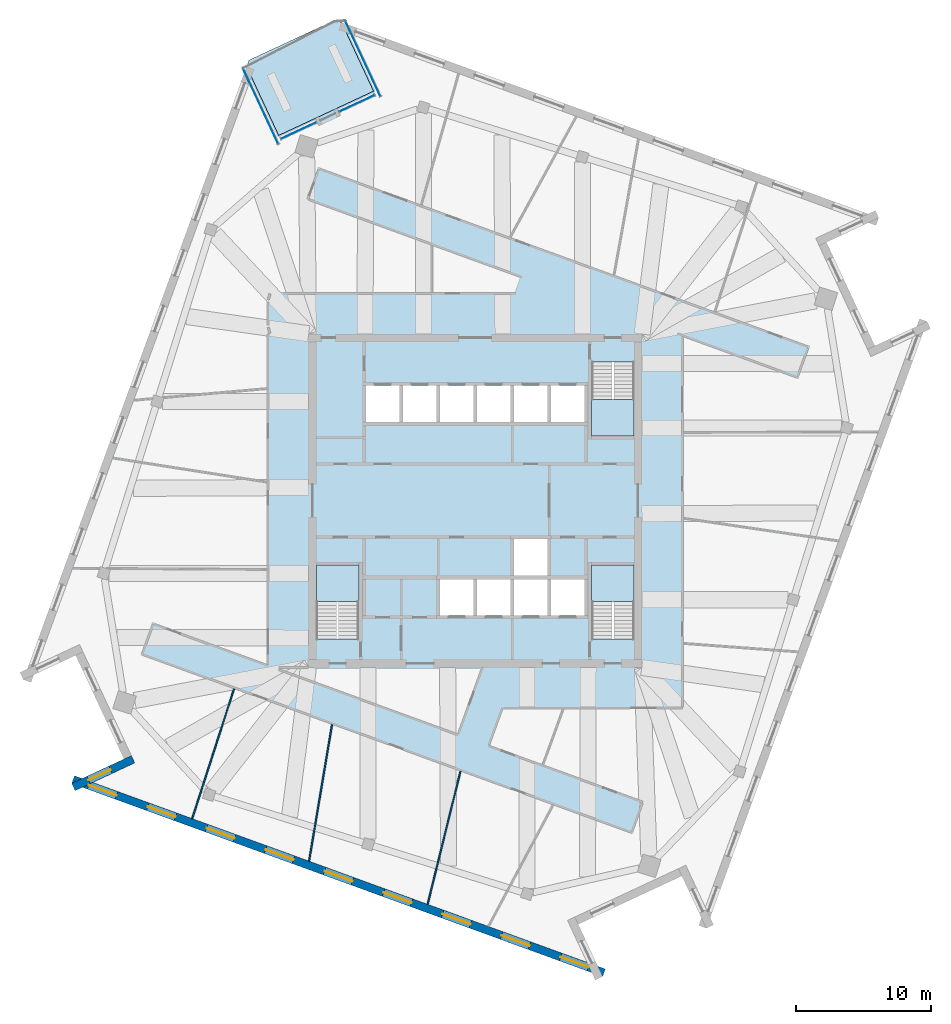
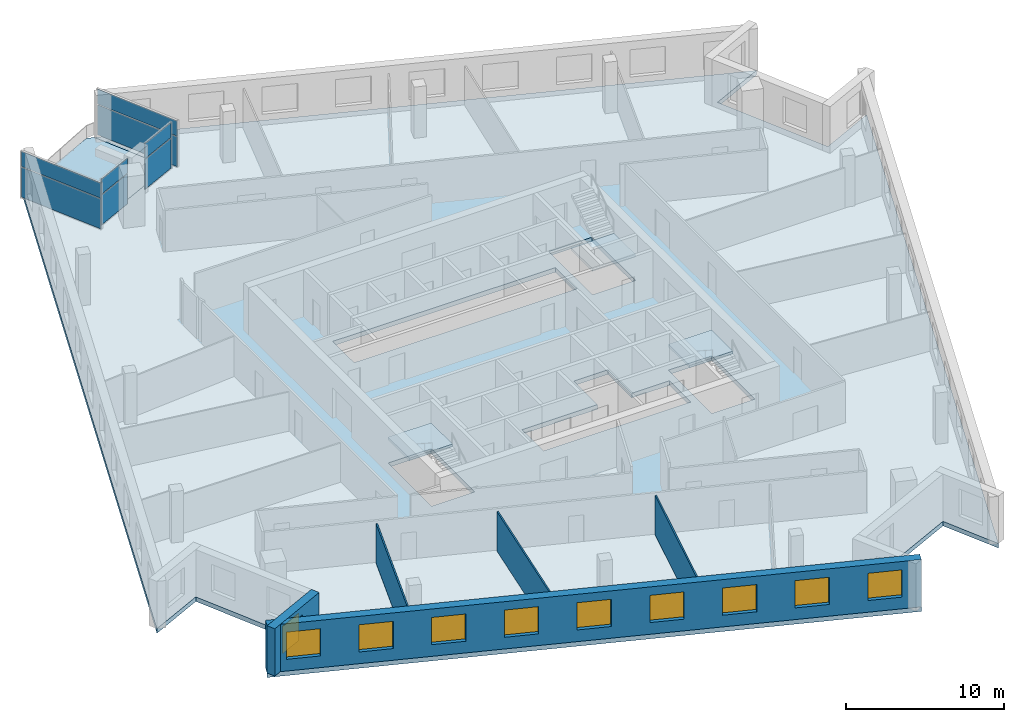
# One storey, part 5 of 13: 10 windows, 8 plates, 5 slabs, 5 walls, 10 openings, 7 elements without a shape of their own.
"""IFC4 building model written with IfcOpenShell, lengths in metres."""

from ifc_helpers import new_model, si_unit, direction, frame, frame_2d, origin, origin_2d, place, context, subcontext, project, spatial, polyline, rectangle, outline, extrude, material, layer, layer_set, type_object, element, fill, aggregate, save


model = new_model("IFC4")

# Units and contexts
model_context = context("Model", 3, precision=1e-05, world=origin(), true_north=direction((0.0, 1.0)))
body_context = subcontext(model_context, "Body", "Model", "MODEL_VIEW")
ifc_project = project(units=[si_unit("LENGTHUNIT", "METRE"), si_unit("AREAUNIT", "SQUARE_METRE"), si_unit("VOLUMEUNIT", "CUBIC_METRE"), si_unit("PLANEANGLEUNIT", "RADIAN"), si_unit("MASSUNIT", "GRAM", prefix="KILO")], contexts=[model_context])

# Site, building, storey
site_placement = place(None, origin())
site = spatial("IfcSite", under=ifc_project, at=site_placement, CompositionType="ELEMENT")
building_placement = place(site_placement, origin())
building = spatial("IfcBuilding", under=site, at=building_placement, Name="Dilmun Exchange Tower", CompositionType="ELEMENT")
storey_placement = place(building_placement, frame((0.0, 0.0, 308.5)))
storey = spatial("IfcBuildingStorey", under=building, at=storey_placement, Name="L73", CompositionType="ELEMENT", Elevation=308.5)

# Stair, slab
ifc_material_1 = material(Name="Concrete C40/50", Category="concrete")
stair_type = type_object("IfcStairType", Name="Exit stair 1500 half-turn", PredefinedType="HALF_TURN_STAIR", material=ifc_material_1)
stair_1_placement = place(storey_placement, origin())
stair_1 = element("IfcStair", 1, at=stair_1_placement, inside=storey, type_object=stair_type, Name="L73 Protected exit stair ST1", PredefinedType="HALF_TURN_STAIR")
ifc_layer_1 = layer(ifc_material_1, 0.199951171875)
ifc_layer_set_1 = layer_set([ifc_layer_1], Name="Concrete C40/50")
slab_type_1 = type_object("IfcSlabType", Name="Exit stair landing 200", PredefinedType="LANDING", material=ifc_layer_set_1)
slab_1_placement = place(storey_placement, frame((0.0, 0.0, 1.800048828125)))
slab_1 = element("IfcSlab", 2, at=slab_1_placement, type_object=slab_type_1, Name="ST1 landing 1", PredefinedType="LANDING", context=body_context, shape_type="SweptSolid", body=[
    extrude(outline(polyline([(8.64990234375, 7.5), (8.64990234375, 4.800048828125), (11.800048828125, 4.800048828125), (11.800048828125, 7.5), (8.64990234375, 7.5)])), origin(), (0.0, 0.0, 1.0), 0.199951171875),
])
aggregate(stair_1, [slab_1])

stair_2_placement = place(storey_placement, origin())
stair_2 = element("IfcStair", 3, at=stair_2_placement, inside=storey, type_object=stair_type, Name="L73 Protected exit stair ST2", PredefinedType="HALF_TURN_STAIR")
slab_2_placement = place(storey_placement, frame((0.0, 0.0, 1.800048828125)))
slab_2 = element("IfcSlab", 4, at=slab_2_placement, type_object=slab_type_1, Name="ST2 landing 1", PredefinedType="LANDING", context=body_context, shape_type="SweptSolid", body=[
    extrude(outline(polyline([(-8.64990234375, -7.5), (-8.64990234375, -4.800048828125), (-11.800048828125, -4.800048828125), (-11.800048828125, -7.5), (-8.64990234375, -7.5)])), origin(), (0.0, 0.0, 1.0), 0.199951171875),
])
aggregate(stair_2, [slab_2])

stair_3_placement = place(storey_placement, origin())
stair_3 = element("IfcStair", 5, at=stair_3_placement, inside=storey, type_object=stair_type, Name="L73 Protected exit stair ST3", PredefinedType="HALF_TURN_STAIR")
slab_3_placement = place(storey_placement, frame((0.0, 0.0, 1.800048828125)))
slab_3 = element("IfcSlab", 6, at=slab_3_placement, type_object=slab_type_1, Name="ST3 landing 1", PredefinedType="LANDING", context=body_context, shape_type="SweptSolid", body=[
    extrude(outline(polyline([(11.800048828125, -7.5), (11.800048828125, -4.800048828125), (8.64990234375, -4.800048828125), (8.64990234375, -7.5), (11.800048828125, -7.5)])), origin(), (0.0, 0.0, 1.0), 0.199951171875),
])
aggregate(stair_3, [slab_3])

# Curtain wall, plates
ifc_material_2 = material(Name="Anodised aluminium and clear glass", Category="aluminium")
curtain_wall_type = type_object("IfcCurtainWallType", Name="Garden corner glazing", PredefinedType="NOTDEFINED", material=ifc_material_2)
curtain_wall_1_placement = place(storey_placement, origin())
curtain_wall_1 = element("IfcCurtainWall", 7, at=curtain_wall_1_placement, inside=storey, type_object=curtain_wall_type, Name="Garden corner glazing run GC1.1", PredefinedType="NOTDEFINED")
ifc_material_3 = material(Name="Clear glass", Category="glass")
ifc_layer_2 = layer(ifc_material_3, 0.028076171875)
ifc_layer_set_2 = layer_set([ifc_layer_2], Name="Clear glass")
plate_type = type_object("IfcPlateType", Name="Garden corner glazing glass panel 28", PredefinedType="CURTAIN_PANEL", material=ifc_layer_set_2)
plate_1_placement = place(storey_placement, frame((-8.350830078125, 32.84033203125, 0.06005859375), z_axis=(0.0, 0.0, 1.0), x_axis=(0.4226234014, -0.906305390357, 0.0)))
plate_1 = element("IfcPlate", 8, at=plate_1_placement, type_object=plate_type, Name="GC1.1 panel 1.1", PredefinedType="CURTAIN_PANEL", context=body_context, shape_type="SweptSolid", body=[
    extrude(rectangle(XDim=6.12646484375, YDim=0.028076171875, at=origin_2d()), origin(), (0.0, 0.0, 1.0), 2.31005859375),
])
plate_2_placement = place(storey_placement, frame((-8.350830078125, 32.84033203125, 2.43017578125), z_axis=(0.0, 0.0, 1.0), x_axis=(0.4226234014, -0.906305390357, 0.0)))
plate_2 = element("IfcPlate", 9, at=plate_2_placement, type_object=plate_type, Name="GC1.1 panel 1.2", PredefinedType="CURTAIN_PANEL", context=body_context, shape_type="SweptSolid", body=[
    extrude(rectangle(XDim=6.12646484375, YDim=0.028076171875, at=origin_2d()), origin(), (0.0, 0.0, 1.0), 1.159912109375),
])
aggregate(curtain_wall_1, [plate_1, plate_2])

curtain_wall_2_placement = place(storey_placement, origin())
curtain_wall_2 = element("IfcCurtainWall", 10, at=curtain_wall_2_placement, inside=storey, type_object=curtain_wall_type, Name="Garden corner glazing run GC2.1", PredefinedType="NOTDEFINED")
plate_3_placement = place(storey_placement, frame((-8.7841796875, 29.523193359375, 0.06005859375), z_axis=(0.0, 0.0, 1.0), x_axis=(-0.906311303987, -0.422610719535, 0.0)))
plate_3 = element("IfcPlate", 11, at=plate_3_placement, type_object=plate_type, Name="GC2.1 panel 1.1", PredefinedType="CURTAIN_PANEL", context=body_context, shape_type="SweptSolid", body=[
    extrude(rectangle(XDim=2.869140625, YDim=0.028076171875, at=origin_2d()), origin(), (0.0, 0.0, 1.0), 2.31005859375),
])
plate_4_placement = place(storey_placement, frame((-8.7841796875, 29.523193359375, 2.43017578125), z_axis=(0.0, 0.0, 1.0), x_axis=(-0.906311303987, -0.422610719535, 0.0)))
plate_4 = element("IfcPlate", 12, at=plate_4_placement, type_object=plate_type, Name="GC2.1 panel 1.2", PredefinedType="CURTAIN_PANEL", context=body_context, shape_type="SweptSolid", body=[
    extrude(rectangle(XDim=2.869140625, YDim=0.028076171875, at=origin_2d()), origin(), (0.0, 0.0, 1.0), 1.159912109375),
])
aggregate(curtain_wall_2, [plate_3, plate_4])

curtain_wall_3_placement = place(storey_placement, origin())
curtain_wall_3 = element("IfcCurtainWall", 13, at=curtain_wall_3_placement, inside=storey, type_object=curtain_wall_type, Name="Garden corner glazing run GC2.3", PredefinedType="NOTDEFINED")
plate_5_placement = place(storey_placement, frame((-13.12451171875, 27.499267578125, 0.06005859375), z_axis=(0.0, 0.0, 1.0), x_axis=(-0.906311303987, -0.422610719535, 0.0)))
plate_5 = element("IfcPlate", 14, at=plate_5_placement, type_object=plate_type, Name="GC2.3 panel 1.1", PredefinedType="CURTAIN_PANEL", context=body_context, shape_type="SweptSolid", body=[
    extrude(rectangle(XDim=2.869140625, YDim=0.028076171875, at=origin_2d()), origin(), (0.0, 0.0, 1.0), 2.31005859375),
])
plate_6_placement = place(storey_placement, frame((-13.12451171875, 27.499267578125, 2.43017578125), z_axis=(0.0, 0.0, 1.0), x_axis=(-0.906311303987, -0.422610719535, 0.0)))
plate_6 = element("IfcPlate", 15, at=plate_6_placement, type_object=plate_type, Name="GC2.3 panel 1.2", PredefinedType="CURTAIN_PANEL", context=body_context, shape_type="SweptSolid", body=[
    extrude(rectangle(XDim=2.869140625, YDim=0.028076171875, at=origin_2d()), origin(), (0.0, 0.0, 1.0), 1.159912109375),
])
aggregate(curtain_wall_3, [plate_5, plate_6])

curtain_wall_4_placement = place(storey_placement, origin())
curtain_wall_4 = element("IfcCurtainWall", 16, at=curtain_wall_4_placement, inside=storey, type_object=curtain_wall_type, Name="Garden corner glazing run GC3.1", PredefinedType="NOTDEFINED")
plate_7_placement = place(storey_placement, frame((-15.944091796875, 29.299560546875, 0.06005859375), z_axis=(0.0, 0.0, 1.0), x_axis=(-0.4226234014, 0.906305390357, 0.0)))
plate_7 = element("IfcPlate", 17, at=plate_7_placement, type_object=plate_type, Name="GC3.1 panel 1.1", PredefinedType="CURTAIN_PANEL", context=body_context, shape_type="SweptSolid", body=[
    extrude(rectangle(XDim=6.12646484375, YDim=0.028076171875, at=origin_2d()), origin(), (0.0, 0.0, 1.0), 2.31005859375),
])
plate_8_placement = place(storey_placement, frame((-15.944091796875, 29.299560546875, 2.43017578125), z_axis=(0.0, 0.0, 1.0), x_axis=(-0.4226234014, 0.906305390357, 0.0)))
plate_8 = element("IfcPlate", 18, at=plate_8_placement, type_object=plate_type, Name="GC3.1 panel 1.2", PredefinedType="CURTAIN_PANEL", context=body_context, shape_type="SweptSolid", body=[
    extrude(rectangle(XDim=6.12646484375, YDim=0.028076171875, at=origin_2d()), origin(), (0.0, 0.0, 1.0), 1.159912109375),
])
aggregate(curtain_wall_4, [plate_7, plate_8])

# Slabs
ifc_layer_3 = layer(ifc_material_1, 0.35009765625)
ifc_layer_set_3 = layer_set([ifc_layer_3], Name="Concrete C40/50")
slab_type_2 = type_object("IfcSlabType", Name="RC floor slab 350", PredefinedType="FLOOR", material=ifc_layer_set_3)
slab_4_placement = place(storey_placement, frame((0.0, 0.0, -0.35009765625)))
element("IfcSlab", 19, at=slab_4_placement, inside=storey, type_object=slab_type_2, Name="Floor slab", PredefinedType="FLOOR", context=body_context, shape_type="SweptSolid", body=[
    extrude(outline(polyline([(26.100341796875, 19.20068359375), (29.692626953125, 11.497314453125), (33.57666015625, 13.308349609375), (17.166748046875, -31.77734375), (15.355712890625, -27.893310546875), (7.652099609375, -31.485595703125), (9.463134765625, -35.36962890625), (-29.984375, -21.011962890625), (-26.100341796875, -19.20068359375), (-29.692626953125, -11.497314453125), (-33.57666015625, -13.308349609375), (-16.9921875, 32.257080078125), (-14.60595703125, 27.1396484375), (-7.556396484375, 30.4267578125), (-9.94287109375, 35.544189453125), (29.984375, 21.011962890625), (26.100341796875, 19.20068359375)]), holes=[polyline([(-8.64990234375, -4.800048828125), (-11.800048828125, -4.800048828125), (-11.800048828125, -10.294921875), (-8.64990234375, -10.294921875), (-8.64990234375, -4.800048828125)]), polyline([(11.800048828125, -4.800048828125), (8.64990234375, -4.800048828125), (8.64990234375, -10.294921875), (11.800048828125, -10.294921875), (11.800048828125, -4.800048828125)]), polyline([(2.875, -5.85009765625), (-2.625, -5.85009765625), (-2.625, -8.550048828125), (8.125, -8.550048828125), (8.125, -5.85009765625), (5.375, -5.85009765625), (5.375, -2.85009765625), (2.875, -2.85009765625), (2.875, -5.85009765625)]), polyline([(8.125, 5.85009765625), (8.125, 8.550048828125), (-8.125, 8.550048828125), (-8.125, 5.85009765625), (8.125, 5.85009765625)]), polyline([(8.64990234375, 10.294921875), (8.64990234375, 4.800048828125), (11.800048828125, 4.800048828125), (11.800048828125, 10.294921875), (8.64990234375, 10.294921875)])]), origin(), (0.0, 0.0, 1.0), 0.35009765625),
])
ifc_layer_4 = layer(ifc_material_1, 0.300048828125)
ifc_layer_set_4 = layer_set([ifc_layer_4], Name="Concrete C40/50")
slab_type_3 = type_object("IfcSlabType", Name="RC garden terrace slab 300", PredefinedType="FLOOR", material=ifc_layer_set_4)
slab_5_placement = place(storey_placement, frame((0.0, 0.0, -0.300048828125)))
element("IfcSlab", 20, at=slab_5_placement, inside=storey, type_object=slab_type_3, Name="Garden terrace slab", PredefinedType="FLOOR", context=body_context, shape_type="SweptSolid", body=[
    extrude(outline(polyline([(-14.60595703125, 27.1396484375), (-16.9921875, 32.257080078125), (-16.8212890625, 32.726806640625), (-10.41259765625, 35.715087890625), (-9.94287109375, 35.544189453125), (-7.556396484375, 30.4267578125), (-14.60595703125, 27.1396484375)])), origin(), (0.0, 0.0, 1.0), 0.300048828125),
])

# Walls
ifc_material_4 = material(Name="Partition 100")
ifc_layer_5 = layer(ifc_material_4, 0.10009765625)
ifc_layer_set_5 = layer_set([ifc_layer_5], Name="Partition 100")
wall_type_1 = type_object("IfcWallType", Name="Partition 100", PredefinedType="PARTITIONING", material=ifc_layer_set_5)
wall_1_placement = place(storey_placement, frame((-21.032958984375, -23.62939453125, 0.0), z_axis=(0.0, 0.0, 1.0), x_axis=(0.306852130572, 0.951757201162, 0.0)))
element("IfcWall", 21, at=wall_1_placement, inside=storey, type_object=wall_type_1, Name="Partition", PredefinedType="PARTITIONING", context=body_context, shape_type="SweptSolid", body=[
    extrude(rectangle(XDim=10.133056640625, YDim=0.10009765625, at=frame_2d((5.06640625, 0.0))), origin(), (0.0, 0.0, 1.0), 3.050048828125),
])
wall_2_placement = place(storey_placement, frame((-12.349365234375, -26.789794921875, 0.0), z_axis=(0.0, 0.0, 1.0), x_axis=(0.165814832818, 0.986156904969, 0.0)))
element("IfcWall", 22, at=wall_2_placement, inside=storey, type_object=wall_type_1, Name="Partition", PredefinedType="PARTITIONING", context=body_context, shape_type="SweptSolid", body=[
    extrude(rectangle(XDim=10.288818359375, YDim=0.10009765625, at=frame_2d((5.14453125, 0.0))), origin(), (0.0, 0.0, 1.0), 3.050048828125),
])
wall_3_placement = place(storey_placement, frame((-3.539794921875, -29.99609375, 0.0), z_axis=(0.0, 0.0, 1.0), x_axis=(0.239628478721, 0.970864662137, 0.0)))
element("IfcWall", 23, at=wall_3_placement, inside=storey, type_object=wall_type_1, Name="Partition", PredefinedType="PARTITIONING", context=body_context, shape_type="SweptSolid", body=[
    extrude(rectangle(XDim=10.18017578125, YDim=0.10009765625, at=frame_2d((5.090087890625, 0.0))), origin(), (0.0, 0.0, 1.0), 3.050048828125),
])

# Wall, opening, window
ifc_material_5 = material(Name="Precast concrete C50/60", Category="concrete")
ifc_layer_6 = layer(ifc_material_5, 0.60009765625)
ifc_layer_set_6 = layer_set([ifc_layer_6], Name="Precast concrete C50/60")
wall_type_2 = type_object("IfcWallType", Name="Precast stone-clad wall 600", PredefinedType="STANDARD", material=ifc_layer_set_6)
wall_4_placement = place(storey_placement, frame((-25.4296875, -19.218994140625, 0.0), z_axis=(0.0, 0.0, 1.0), x_axis=(-0.906315863802, -0.422600940628, 0.0)))
wall_4 = element("IfcWall", 24, at=wall_4_placement, inside=storey, type_object=wall_type_2, Name="Facade wall L73-06", PredefinedType="STANDARD", context=body_context, shape_type="SweptSolid", body=[
    extrude(rectangle(XDim=4.8857421875, YDim=0.60009765625, at=frame_2d((2.44287109375, 0.0))), origin(), (0.0, 0.0, 1.0), 3.64990234375),
])
opening_1_placement = place(wall_4_placement, frame((1.8427734375, 0.0, 0.89990234375)))
opening_1 = element("IfcOpeningElement", 25, at=opening_1_placement, cuts=wall_4, Name="Opening W180-210", PredefinedType="OPENING", context=body_context, shape_type="SweptSolid", body=[
    extrude(rectangle(XDim=1.800048828125, YDim=2.10009765625, at=frame_2d((0.89990234375, 1.050048828125))), frame((0.0, 0.31005859375, 0.0), z_axis=(0.0, -1.0, 0.0), x_axis=(1.0, 0.0, 0.0)), (0.0, 0.0, 1.0), 0.6201171875),
])
ifc_material_6 = material(Name="Clear low-emissivity glass in aluminium frame", Category="aluminium")
window_type_1 = type_object("IfcWindowType", Name="Punched window 1800 x 2100", PartitioningType="DOUBLE_PANEL_VERTICAL", PredefinedType="WINDOW", material=ifc_material_6)
window_1_placement = place(opening_1_placement, origin())
window_1 = element("IfcWindow", 26, at=window_1_placement, inside=storey, type_object=window_type_1, Name="Window 7.1", OverallHeight=2.10009765625, OverallWidth=1.800048828125, PartitioningType="SINGLE_PANEL", PredefinedType="WINDOW", context=body_context, shape_type="SweptSolid", body=[
    extrude(rectangle(XDim=1.800048828125, YDim=2.10009765625, at=frame_2d((0.89990234375, 1.050048828125))), frame((0.0, 0.030029296875, 0.0), z_axis=(0.0, -1.0, 0.0), x_axis=(1.0, 0.0, 0.0)), (0.0, 0.0, 1.0), 0.06005859375),
])
fill(opening_1, window_1)

# Wall, openings, windows
wall_5_placement = place(storey_placement, frame((-29.8818359375, -20.72998046875, 0.0), z_axis=(0.0, 0.0, 1.0), x_axis=(0.939693709578, -0.34201715188, 0.0)))
wall_5 = element("IfcWall", 27, at=wall_5_placement, inside=storey, type_object=wall_type_2, Name="Facade wall L73-07", PredefinedType="STANDARD", context=body_context, shape_type="SweptSolid", body=[
    extrude(rectangle(XDim=41.9794921875, YDim=0.60009765625, at=frame_2d((20.98974609375, 0.0))), origin(), (0.0, 0.0, 1.0), 3.64990234375),
])
opening_2_placement = place(wall_5_placement, frame((1.232177734375, 0.0, 0.89990234375)))
opening_2 = element("IfcOpeningElement", 28, at=opening_2_placement, cuts=wall_5, Name="Opening W220-210", PredefinedType="OPENING", context=body_context, shape_type="SweptSolid", body=[
    extrude(rectangle(XDim=2.199951171875, YDim=2.10009765625, at=frame_2d((1.10009765625, 1.050048828125))), frame((0.0, 0.31005859375, 0.0), z_axis=(0.0, -1.0, 0.0), x_axis=(1.0, 0.0, 0.0)), (0.0, 0.0, 1.0), 0.6201171875),
])
opening_3_placement = place(wall_5_placement, frame((5.896484375, 0.0, 0.89990234375)))
opening_3 = element("IfcOpeningElement", 29, at=opening_3_placement, cuts=wall_5, Name="Opening W220-210", PredefinedType="OPENING", context=body_context, shape_type="SweptSolid", body=[
    extrude(rectangle(XDim=2.199951171875, YDim=2.10009765625, at=frame_2d((1.10009765625, 1.050048828125))), frame((0.0, 0.31005859375, 0.0), z_axis=(0.0, -1.0, 0.0), x_axis=(1.0, 0.0, 0.0)), (0.0, 0.0, 1.0), 0.6201171875),
])
opening_4_placement = place(wall_5_placement, frame((10.560791015625, 0.0, 0.89990234375)))
opening_4 = element("IfcOpeningElement", 30, at=opening_4_placement, cuts=wall_5, Name="Opening W220-210", PredefinedType="OPENING", context=body_context, shape_type="SweptSolid", body=[
    extrude(rectangle(XDim=2.199951171875, YDim=2.10009765625, at=frame_2d((1.10009765625, 1.050048828125))), frame((0.0, 0.31005859375, 0.0), z_axis=(0.0, -1.0, 0.0), x_axis=(1.0, 0.0, 0.0)), (0.0, 0.0, 1.0), 0.6201171875),
])
opening_5_placement = place(wall_5_placement, frame((15.22509765625, 0.0, 0.89990234375)))
opening_5 = element("IfcOpeningElement", 31, at=opening_5_placement, cuts=wall_5, Name="Opening W220-210", PredefinedType="OPENING", context=body_context, shape_type="SweptSolid", body=[
    extrude(rectangle(XDim=2.199951171875, YDim=2.10009765625, at=frame_2d((1.10009765625, 1.050048828125))), frame((0.0, 0.31005859375, 0.0), z_axis=(0.0, -1.0, 0.0), x_axis=(1.0, 0.0, 0.0)), (0.0, 0.0, 1.0), 0.6201171875),
])
opening_6_placement = place(wall_5_placement, frame((19.8896484375, 0.0, 0.89990234375)))
opening_6 = element("IfcOpeningElement", 32, at=opening_6_placement, cuts=wall_5, Name="Opening W220-210", PredefinedType="OPENING", context=body_context, shape_type="SweptSolid", body=[
    extrude(rectangle(XDim=2.199951171875, YDim=2.10009765625, at=frame_2d((1.10009765625, 1.050048828125))), frame((0.0, 0.31005859375, 0.0), z_axis=(0.0, -1.0, 0.0), x_axis=(1.0, 0.0, 0.0)), (0.0, 0.0, 1.0), 0.6201171875),
])
opening_7_placement = place(wall_5_placement, frame((24.553955078125, 0.0, 0.89990234375)))
opening_7 = element("IfcOpeningElement", 33, at=opening_7_placement, cuts=wall_5, Name="Opening W220-210", PredefinedType="OPENING", context=body_context, shape_type="SweptSolid", body=[
    extrude(rectangle(XDim=2.199951171875, YDim=2.10009765625, at=frame_2d((1.10009765625, 1.050048828125))), frame((0.0, 0.31005859375, 0.0), z_axis=(0.0, -1.0, 0.0), x_axis=(1.0, 0.0, 0.0)), (0.0, 0.0, 1.0), 0.6201171875),
])
opening_8_placement = place(wall_5_placement, frame((29.21826171875, 0.0, 0.89990234375)))
opening_8 = element("IfcOpeningElement", 34, at=opening_8_placement, cuts=wall_5, Name="Opening W220-210", PredefinedType="OPENING", context=body_context, shape_type="SweptSolid", body=[
    extrude(rectangle(XDim=2.199951171875, YDim=2.10009765625, at=frame_2d((1.10009765625, 1.050048828125))), frame((0.0, 0.31005859375, 0.0), z_axis=(0.0, -1.0, 0.0), x_axis=(1.0, 0.0, 0.0)), (0.0, 0.0, 1.0), 0.6201171875),
])
opening_9_placement = place(wall_5_placement, frame((33.8828125, 0.0, 0.89990234375)))
opening_9 = element("IfcOpeningElement", 35, at=opening_9_placement, cuts=wall_5, Name="Opening W220-210", PredefinedType="OPENING", context=body_context, shape_type="SweptSolid", body=[
    extrude(rectangle(XDim=2.199951171875, YDim=2.10009765625, at=frame_2d((1.10009765625, 1.050048828125))), frame((0.0, 0.31005859375, 0.0), z_axis=(0.0, -1.0, 0.0), x_axis=(1.0, 0.0, 0.0)), (0.0, 0.0, 1.0), 0.6201171875),
])
opening_10_placement = place(wall_5_placement, frame((38.547119140625, 0.0, 0.89990234375)))
opening_10 = element("IfcOpeningElement", 36, at=opening_10_placement, cuts=wall_5, Name="Opening W220-210", PredefinedType="OPENING", context=body_context, shape_type="SweptSolid", body=[
    extrude(rectangle(XDim=2.199951171875, YDim=2.10009765625, at=frame_2d((1.10009765625, 1.050048828125))), frame((0.0, 0.31005859375, 0.0), z_axis=(0.0, -1.0, 0.0), x_axis=(1.0, 0.0, 0.0)), (0.0, 0.0, 1.0), 0.6201171875),
])
window_type_2 = type_object("IfcWindowType", Name="Punched window 2200 x 2100", PartitioningType="DOUBLE_PANEL_VERTICAL", PredefinedType="WINDOW", material=ifc_material_6)
window_2_placement = place(opening_2_placement, origin())
window_2 = element("IfcWindow", 37, at=window_2_placement, inside=storey, type_object=window_type_2, Name="Window 8.1", OverallHeight=2.10009765625, OverallWidth=2.199951171875, PartitioningType="SINGLE_PANEL", PredefinedType="WINDOW", context=body_context, shape_type="SweptSolid", body=[
    extrude(rectangle(XDim=2.199951171875, YDim=2.10009765625, at=frame_2d((1.10009765625, 1.050048828125))), frame((0.0, 0.030029296875, 0.0), z_axis=(0.0, -1.0, 0.0), x_axis=(1.0, 0.0, 0.0)), (0.0, 0.0, 1.0), 0.06005859375),
])
fill(opening_2, window_2)
window_3_placement = place(opening_3_placement, origin())
window_3 = element("IfcWindow", 38, at=window_3_placement, inside=storey, type_object=window_type_2, Name="Window 8.2", OverallHeight=2.10009765625, OverallWidth=2.199951171875, PartitioningType="SINGLE_PANEL", PredefinedType="WINDOW", context=body_context, shape_type="SweptSolid", body=[
    extrude(rectangle(XDim=2.199951171875, YDim=2.10009765625, at=frame_2d((1.10009765625, 1.050048828125))), frame((0.0, 0.030029296875, 0.0), z_axis=(0.0, -1.0, 0.0), x_axis=(1.0, 0.0, 0.0)), (0.0, 0.0, 1.0), 0.06005859375),
])
fill(opening_3, window_3)
window_4_placement = place(opening_4_placement, origin())
window_4 = element("IfcWindow", 39, at=window_4_placement, inside=storey, type_object=window_type_2, Name="Window 8.3", OverallHeight=2.10009765625, OverallWidth=2.199951171875, PartitioningType="SINGLE_PANEL", PredefinedType="WINDOW", context=body_context, shape_type="SweptSolid", body=[
    extrude(rectangle(XDim=2.199951171875, YDim=2.10009765625, at=frame_2d((1.10009765625, 1.050048828125))), frame((0.0, 0.030029296875, 0.0), z_axis=(0.0, -1.0, 0.0), x_axis=(1.0, 0.0, 0.0)), (0.0, 0.0, 1.0), 0.06005859375),
])
fill(opening_4, window_4)
window_5_placement = place(opening_5_placement, origin())
window_5 = element("IfcWindow", 40, at=window_5_placement, inside=storey, type_object=window_type_2, Name="Window 8.4", OverallHeight=2.10009765625, OverallWidth=2.199951171875, PartitioningType="SINGLE_PANEL", PredefinedType="WINDOW", context=body_context, shape_type="SweptSolid", body=[
    extrude(rectangle(XDim=2.199951171875, YDim=2.10009765625, at=frame_2d((1.10009765625, 1.050048828125))), frame((0.0, 0.030029296875, 0.0), z_axis=(0.0, -1.0, 0.0), x_axis=(1.0, 0.0, 0.0)), (0.0, 0.0, 1.0), 0.06005859375),
])
fill(opening_5, window_5)
window_6_placement = place(opening_6_placement, origin())
window_6 = element("IfcWindow", 41, at=window_6_placement, inside=storey, type_object=window_type_2, Name="Window 8.5", OverallHeight=2.10009765625, OverallWidth=2.199951171875, PartitioningType="SINGLE_PANEL", PredefinedType="WINDOW", context=body_context, shape_type="SweptSolid", body=[
    extrude(rectangle(XDim=2.199951171875, YDim=2.10009765625, at=frame_2d((1.10009765625, 1.050048828125))), frame((0.0, 0.030029296875, 0.0), z_axis=(0.0, -1.0, 0.0), x_axis=(1.0, 0.0, 0.0)), (0.0, 0.0, 1.0), 0.06005859375),
])
fill(opening_6, window_6)
window_7_placement = place(opening_7_placement, origin())
window_7 = element("IfcWindow", 42, at=window_7_placement, inside=storey, type_object=window_type_2, Name="Window 8.6", OverallHeight=2.10009765625, OverallWidth=2.199951171875, PartitioningType="SINGLE_PANEL", PredefinedType="WINDOW", context=body_context, shape_type="SweptSolid", body=[
    extrude(rectangle(XDim=2.199951171875, YDim=2.10009765625, at=frame_2d((1.10009765625, 1.050048828125))), frame((0.0, 0.030029296875, 0.0), z_axis=(0.0, -1.0, 0.0), x_axis=(1.0, 0.0, 0.0)), (0.0, 0.0, 1.0), 0.06005859375),
])
fill(opening_7, window_7)
window_8_placement = place(opening_8_placement, origin())
window_8 = element("IfcWindow", 43, at=window_8_placement, inside=storey, type_object=window_type_2, Name="Window 8.7", OverallHeight=2.10009765625, OverallWidth=2.199951171875, PartitioningType="SINGLE_PANEL", PredefinedType="WINDOW", context=body_context, shape_type="SweptSolid", body=[
    extrude(rectangle(XDim=2.199951171875, YDim=2.10009765625, at=frame_2d((1.10009765625, 1.050048828125))), frame((0.0, 0.030029296875, 0.0), z_axis=(0.0, -1.0, 0.0), x_axis=(1.0, 0.0, 0.0)), (0.0, 0.0, 1.0), 0.06005859375),
])
fill(opening_8, window_8)
window_9_placement = place(opening_9_placement, origin())
window_9 = element("IfcWindow", 44, at=window_9_placement, inside=storey, type_object=window_type_2, Name="Window 8.8", OverallHeight=2.10009765625, OverallWidth=2.199951171875, PartitioningType="SINGLE_PANEL", PredefinedType="WINDOW", context=body_context, shape_type="SweptSolid", body=[
    extrude(rectangle(XDim=2.199951171875, YDim=2.10009765625, at=frame_2d((1.10009765625, 1.050048828125))), frame((0.0, 0.030029296875, 0.0), z_axis=(0.0, -1.0, 0.0), x_axis=(1.0, 0.0, 0.0)), (0.0, 0.0, 1.0), 0.06005859375),
])
fill(opening_9, window_9)
window_10_placement = place(opening_10_placement, origin())
window_10 = element("IfcWindow", 45, at=window_10_placement, inside=storey, type_object=window_type_2, Name="Window 8.9", OverallHeight=2.10009765625, OverallWidth=2.199951171875, PartitioningType="SINGLE_PANEL", PredefinedType="WINDOW", context=body_context, shape_type="SweptSolid", body=[
    extrude(rectangle(XDim=2.199951171875, YDim=2.10009765625, at=frame_2d((1.10009765625, 1.050048828125))), frame((0.0, 0.030029296875, 0.0), z_axis=(0.0, -1.0, 0.0), x_axis=(1.0, 0.0, 0.0)), (0.0, 0.0, 1.0), 0.06005859375),
])
fill(opening_10, window_10)

save(model, "model.ifc")
